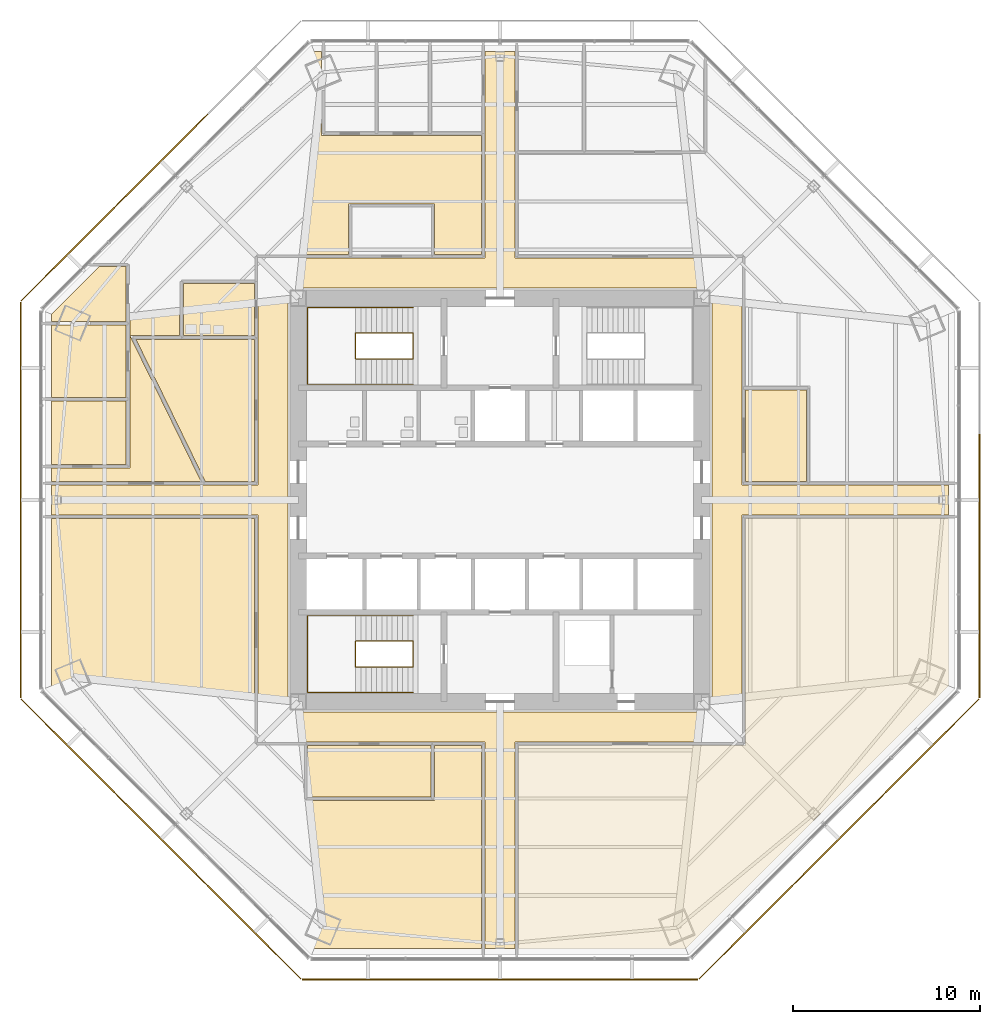
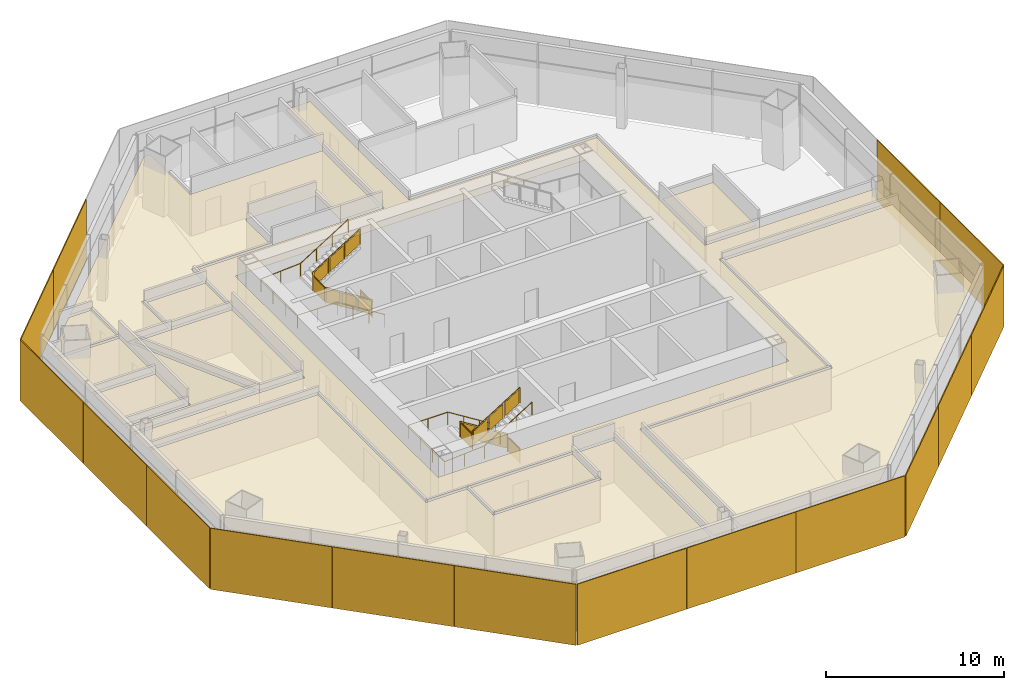
# One storey, part 12 of 14: 16 shading devices, 11 coverings, 4 railings.
"""IFC4 building model written with IfcOpenShell, lengths in metres."""

from ifc_helpers import new_model, si_unit, direction, frame, origin, origin_2d, place, context, subcontext, project, spatial, polyline, rectangle, circle, outline, extrude, source, transform, mapped, material, layer, layer_set, type_object, type_shapes, element, save


model = new_model("IFC4")

# Units and contexts
model_context = context("Model", 3, precision=1e-05, world=origin(), true_north=direction((0.0, 1.0)))
body_context = subcontext(model_context, "Body", "Model", "MODEL_VIEW")
ifc_project = project(units=[si_unit("LENGTHUNIT", "METRE"), si_unit("AREAUNIT", "SQUARE_METRE"), si_unit("VOLUMEUNIT", "CUBIC_METRE"), si_unit("PLANEANGLEUNIT", "RADIAN"), si_unit("MASSUNIT", "GRAM", prefix="KILO")], contexts=[model_context])

# Site, building, storey
site_placement = place(None, origin())
site = spatial("IfcSite", under=ifc_project, at=site_placement, CompositionType="ELEMENT")
building_placement = place(site_placement, origin())
building = spatial("IfcBuilding", under=site, at=building_placement, Name="Mashrafa Tower", CompositionType="ELEMENT")
storey_placement = place(building_placement, frame((0.0, 0.0, 121.800048828125)))
storey = spatial("IfcBuildingStorey", under=building, at=storey_placement, Name="L27", CompositionType="ELEMENT", Elevation=121.800048828125)

# Railings
ifc_material_1 = material(Name="Steel guard with glass infill", Category="steel")
railing_type_1 = type_object("IfcRailingType", Name="Stair guard 1100", PredefinedType="GUARDRAIL", material=ifc_material_1)
railing_1_placement = place(storey_placement, frame((-4.64990234375, 8.949951171875, 0.0)))
element("IfcRailing", 1, at=railing_1_placement, inside=storey, type_object=railing_type_1, Name="Stair S1 guard L27", PredefinedType="GUARDRAIL", context=body_context, shape_type="SweptSolid", body=[
    extrude(circle(Radius=0.02392578125, at=origin_2d()), frame((0.0, 0.0, 1.076171875), z_axis=(0.0, -1.0, 0.0), x_axis=(1.0, 0.0, 0.0)), (0.0, 0.0, 1.0), 1.39990234375),
    extrude(circle(Radius=0.02392578125, at=origin_2d()), frame((0.0, -1.39990234375, 1.076171875), z_axis=(0.0, 0.0, 1.0), x_axis=(1.0, 0.0, 0.0)), (0.0, 0.0, 1.0), 0.175048828125),
    extrude(circle(Radius=0.02392578125, at=origin_2d()), frame((0.0, -1.39990234375, 1.2509765625), z_axis=(-0.848028513186, 0.0, 0.529950602248), x_axis=(0.0, -1.0, 0.0)), (0.0, 0.0, 1.0), 3.632080078125),
    extrude(circle(Radius=0.02392578125, at=origin_2d()), frame((-3.080078125, -1.39990234375, 3.17578125), z_axis=(0.0, 1.0, 0.0), x_axis=(-1.0, 0.0, 0.0)), (0.0, 0.0, 1.0), 1.39990234375),
    extrude(circle(Radius=0.02392578125, at=origin_2d()), frame((-3.080078125, 0.0, 3.17578125), z_axis=(0.0, 0.0, 1.0), x_axis=(1.0, 0.0, 0.0)), (0.0, 0.0, 1.0), 0.175048828125),
    extrude(circle(Radius=0.02392578125, at=origin_2d()), frame((-3.080078125, 0.0, 3.35107421875), z_axis=(0.847998304005, 0.0, 0.529998940003), x_axis=(0.0, 1.0, 0.0)), (0.0, 0.0, 1.0), 3.632080078125),
    extrude(circle(Radius=0.02099609375, at=origin_2d()), origin(), (0.0, 0.0, 1.0), 1.052001953125),
    extrude(circle(Radius=0.02099609375, at=origin_2d()), frame((0.0, -1.39990234375, 0.0)), (0.0, 0.0, 1.0), 1.052001953125),
    extrude(circle(Radius=0.02099609375, at=origin_2d()), frame((0.0, -1.39990234375, 0.175048828125)), (0.0, 0.0, 1.0), 1.052001953125),
    extrude(circle(Radius=0.02099609375, at=origin_2d()), frame((-1.026611328125, -1.39990234375, 0.816650390625)), (0.0, 0.0, 1.0), 1.052001953125),
    extrude(circle(Radius=0.02099609375, at=origin_2d()), frame((-2.053466796875, -1.39990234375, 1.458251953125)), (0.0, 0.0, 1.0), 1.052001953125),
    extrude(circle(Radius=0.02099609375, at=origin_2d()), frame((-3.080078125, -1.39990234375, 2.099853515625)), (0.0, 0.0, 1.0), 1.052001953125),
    extrude(circle(Radius=0.02099609375, at=origin_2d()), frame((-3.080078125, 0.0, 2.099853515625)), (0.0, 0.0, 1.0), 1.052001953125),
    extrude(circle(Radius=0.02099609375, at=origin_2d()), frame((-3.080078125, 0.0, 2.27490234375)), (0.0, 0.0, 1.0), 1.052001953125),
    extrude(circle(Radius=0.02099609375, at=origin_2d()), frame((-2.053466796875, 0.0, 2.91650390625)), (0.0, 0.0, 1.0), 1.052001953125),
    extrude(circle(Radius=0.02099609375, at=origin_2d()), frame((-1.026611328125, 0.0, 3.558349609375)), (0.0, 0.0, 1.0), 1.052001953125),
    extrude(circle(Radius=0.02099609375, at=origin_2d()), frame((0.0, 0.0, 4.199951171875)), (0.0, 0.0, 1.0), 1.052001953125),
    extrude(outline(polyline([(0.071044921875, 0.050048828125), (1.328857421875, 0.050048828125), (1.328857421875, 1.001953125), (0.071044921875, 1.001953125), (0.071044921875, 0.050048828125)])), frame((-0.006103515625, 0.0, 0.0), z_axis=(-1.0, 0.0, 0.0), x_axis=(0.0, -1.0, 0.0)), (0.0, 0.0, 1.0), 0.011962890625),
    extrude(outline(polyline([(0.071044921875, 0.094482421875), (0.955810546875, 0.647216796875), (0.955810546875, 1.59912109375), (0.071044921875, 1.04638671875), (0.071044921875, 0.094482421875)])), frame((0.0, -1.393798828125, 0.175048828125), z_axis=(0.0, 1.0, 0.0), x_axis=(-1.0, 0.0, 0.0)), (0.0, 0.0, 1.0), 0.011962890625),
    extrude(outline(polyline([(1.09765625, 0.736083984375), (1.982421875, 1.288818359375), (1.982421875, 2.24072265625), (1.09765625, 1.68798828125), (1.09765625, 0.736083984375)])), frame((0.0, -1.393798828125, 0.175048828125), z_axis=(0.0, 1.0, 0.0), x_axis=(-1.0, 0.0, 0.0)), (0.0, 0.0, 1.0), 0.011962890625),
    extrude(outline(polyline([(2.124267578125, 1.377685546875), (3.009033203125, 1.930419921875), (3.009033203125, 2.88232421875), (2.124267578125, 2.32958984375), (2.124267578125, 1.377685546875)])), frame((0.0, -1.393798828125, 0.175048828125), z_axis=(0.0, 1.0, 0.0), x_axis=(-1.0, 0.0, 0.0)), (0.0, 0.0, 1.0), 0.011962890625),
    extrude(outline(polyline([(0.071044921875, 0.050048828125), (1.328857421875, 0.050048828125), (1.328857421875, 1.001953125), (0.071044921875, 1.001953125), (0.071044921875, 0.050048828125)])), frame((-3.073974609375, -1.39990234375, 2.099853515625), z_axis=(1.0, 0.0, 0.0), x_axis=(0.0, 1.0, 0.0)), (0.0, 0.0, 1.0), 0.011962890625),
    extrude(outline(polyline([(0.071044921875, 0.094482421875), (0.955810546875, 0.647216796875), (0.955810546875, 1.599365234375), (0.071044921875, 1.04638671875), (0.071044921875, 0.094482421875)])), frame((-3.080078125, -0.006103515625, 2.27490234375), z_axis=(0.0, -1.0, 0.0), x_axis=(1.0, 0.0, 0.0)), (0.0, 0.0, 1.0), 0.011962890625),
    extrude(outline(polyline([(1.09765625, 0.736083984375), (1.982421875, 1.2890625), (1.982421875, 2.240966796875), (1.09765625, 1.68798828125), (1.09765625, 0.736083984375)])), frame((-3.080078125, -0.006103515625, 2.27490234375), z_axis=(0.0, -1.0, 0.0), x_axis=(1.0, 0.0, 0.0)), (0.0, 0.0, 1.0), 0.011962890625),
    extrude(outline(polyline([(2.124267578125, 1.377685546875), (3.009033203125, 1.9306640625), (3.009033203125, 2.882568359375), (2.124267578125, 2.329833984375), (2.124267578125, 1.377685546875)])), frame((-3.080078125, -0.006103515625, 2.27490234375), z_axis=(0.0, -1.0, 0.0), x_axis=(1.0, 0.0, 0.0)), (0.0, 0.0, 1.0), 0.011962890625),
])
railing_2_placement = place(storey_placement, frame((-4.64990234375, -8.949951171875, 0.0)))
element("IfcRailing", 2, at=railing_2_placement, inside=storey, type_object=railing_type_1, Name="Stair S3 guard L27", PredefinedType="GUARDRAIL", context=body_context, shape_type="SweptSolid", body=[
    extrude(circle(Radius=0.02392578125, at=origin_2d()), frame((0.0, 0.0, 1.076171875), z_axis=(0.0, 1.0, 0.0), x_axis=(-1.0, 0.0, 0.0)), (0.0, 0.0, 1.0), 1.39990234375),
    extrude(circle(Radius=0.02392578125, at=origin_2d()), frame((0.0, 1.39990234375, 1.076171875), z_axis=(0.0, 0.0, 1.0), x_axis=(1.0, 0.0, 0.0)), (0.0, 0.0, 1.0), 0.175048828125),
    extrude(circle(Radius=0.02392578125, at=origin_2d()), frame((0.0, 1.39990234375, 1.2509765625), z_axis=(-0.848028513186, 0.0, 0.529950602248), x_axis=(0.0, -1.0, 0.0)), (0.0, 0.0, 1.0), 3.632080078125),
    extrude(circle(Radius=0.02392578125, at=origin_2d()), frame((-3.080078125, 1.39990234375, 3.17578125), z_axis=(0.0, -1.0, 0.0), x_axis=(1.0, 0.0, 0.0)), (0.0, 0.0, 1.0), 1.39990234375),
    extrude(circle(Radius=0.02392578125, at=origin_2d()), frame((-3.080078125, 0.0, 3.17578125), z_axis=(0.0, 0.0, 1.0), x_axis=(1.0, 0.0, 0.0)), (0.0, 0.0, 1.0), 0.175048828125),
    extrude(circle(Radius=0.02392578125, at=origin_2d()), frame((-3.080078125, 0.0, 3.35107421875), z_axis=(0.847998304005, 0.0, 0.529998940003), x_axis=(0.0, 1.0, 0.0)), (0.0, 0.0, 1.0), 3.632080078125),
    extrude(circle(Radius=0.02099609375, at=origin_2d()), origin(), (0.0, 0.0, 1.0), 1.052001953125),
    extrude(circle(Radius=0.02099609375, at=origin_2d()), frame((0.0, 1.39990234375, 0.0)), (0.0, 0.0, 1.0), 1.052001953125),
    extrude(circle(Radius=0.02099609375, at=origin_2d()), frame((0.0, 1.39990234375, 0.175048828125)), (0.0, 0.0, 1.0), 1.052001953125),
    extrude(circle(Radius=0.02099609375, at=origin_2d()), frame((-1.026611328125, 1.39990234375, 0.816650390625)), (0.0, 0.0, 1.0), 1.052001953125),
    extrude(circle(Radius=0.02099609375, at=origin_2d()), frame((-2.053466796875, 1.39990234375, 1.458251953125)), (0.0, 0.0, 1.0), 1.052001953125),
    extrude(circle(Radius=0.02099609375, at=origin_2d()), frame((-3.080078125, 1.39990234375, 2.099853515625)), (0.0, 0.0, 1.0), 1.052001953125),
    extrude(circle(Radius=0.02099609375, at=origin_2d()), frame((-3.080078125, 0.0, 2.099853515625)), (0.0, 0.0, 1.0), 1.052001953125),
    extrude(circle(Radius=0.02099609375, at=origin_2d()), frame((-3.080078125, 0.0, 2.27490234375)), (0.0, 0.0, 1.0), 1.052001953125),
    extrude(circle(Radius=0.02099609375, at=origin_2d()), frame((-2.053466796875, 0.0, 2.91650390625)), (0.0, 0.0, 1.0), 1.052001953125),
    extrude(circle(Radius=0.02099609375, at=origin_2d()), frame((-1.026611328125, 0.0, 3.558349609375)), (0.0, 0.0, 1.0), 1.052001953125),
    extrude(circle(Radius=0.02099609375, at=origin_2d()), frame((0.0, 0.0, 4.199951171875)), (0.0, 0.0, 1.0), 1.052001953125),
    extrude(outline(polyline([(0.071044921875, 0.050048828125), (1.328857421875, 0.050048828125), (1.328857421875, 1.001953125), (0.071044921875, 1.001953125), (0.071044921875, 0.050048828125)])), frame((0.006103515625, 0.0, 0.0), z_axis=(1.0, 0.0, 0.0), x_axis=(0.0, 1.0, 0.0)), (0.0, 0.0, 1.0), 0.011962890625),
    extrude(outline(polyline([(0.071044921875, 0.094482421875), (0.955810546875, 0.647216796875), (0.955810546875, 1.59912109375), (0.071044921875, 1.04638671875), (0.071044921875, 0.094482421875)])), frame((0.0, 1.406005859375, 0.175048828125), z_axis=(0.0, 1.0, 0.0), x_axis=(-1.0, 0.0, 0.0)), (0.0, 0.0, 1.0), 0.011962890625),
    extrude(outline(polyline([(1.09765625, 0.736083984375), (1.982421875, 1.288818359375), (1.982421875, 2.24072265625), (1.09765625, 1.68798828125), (1.09765625, 0.736083984375)])), frame((0.0, 1.406005859375, 0.175048828125), z_axis=(0.0, 1.0, 0.0), x_axis=(-1.0, 0.0, 0.0)), (0.0, 0.0, 1.0), 0.011962890625),
    extrude(outline(polyline([(2.124267578125, 1.377685546875), (3.009033203125, 1.930419921875), (3.009033203125, 2.88232421875), (2.124267578125, 2.32958984375), (2.124267578125, 1.377685546875)])), frame((0.0, 1.406005859375, 0.175048828125), z_axis=(0.0, 1.0, 0.0), x_axis=(-1.0, 0.0, 0.0)), (0.0, 0.0, 1.0), 0.011962890625),
    extrude(outline(polyline([(0.071044921875, 0.050048828125), (1.328857421875, 0.050048828125), (1.328857421875, 1.001953125), (0.071044921875, 1.001953125), (0.071044921875, 0.050048828125)])), frame((-3.086181640625, 1.39990234375, 2.099853515625), z_axis=(-1.0, 0.0, 0.0), x_axis=(0.0, -1.0, 0.0)), (0.0, 0.0, 1.0), 0.011962890625),
    extrude(outline(polyline([(0.071044921875, 0.094482421875), (0.955810546875, 0.647216796875), (0.955810546875, 1.599365234375), (0.071044921875, 1.04638671875), (0.071044921875, 0.094482421875)])), frame((-3.080078125, -0.006103515625, 2.27490234375), z_axis=(0.0, -1.0, 0.0), x_axis=(1.0, 0.0, 0.0)), (0.0, 0.0, 1.0), 0.011962890625),
    extrude(outline(polyline([(1.09765625, 0.736083984375), (1.982421875, 1.2890625), (1.982421875, 2.240966796875), (1.09765625, 1.68798828125), (1.09765625, 0.736083984375)])), frame((-3.080078125, -0.006103515625, 2.27490234375), z_axis=(0.0, -1.0, 0.0), x_axis=(1.0, 0.0, 0.0)), (0.0, 0.0, 1.0), 0.011962890625),
    extrude(outline(polyline([(2.124267578125, 1.377685546875), (3.009033203125, 1.9306640625), (3.009033203125, 2.882568359375), (2.124267578125, 2.329833984375), (2.124267578125, 1.377685546875)])), frame((-3.080078125, -0.006103515625, 2.27490234375), z_axis=(0.0, -1.0, 0.0), x_axis=(1.0, 0.0, 0.0)), (0.0, 0.0, 1.0), 0.011962890625),
])
ifc_material_2 = material(Name="Steel", Category="steel")
railing_type_2 = type_object("IfcRailingType", Name="Stair handrail 900", PredefinedType="HANDRAIL", material=ifc_material_2)
railing_3_placement = place(storey_placement, frame((-4.64990234375, 6.199951171875, 0.175048828125)))
element("IfcRailing", 3, at=railing_3_placement, inside=storey, type_object=railing_type_2, Name="Stair S1 handrail L27", PredefinedType="HANDRAIL", context=body_context, shape_type="SweptSolid", body=[
    extrude(circle(Radius=0.02392578125, at=origin_2d()), frame((0.0, 0.0, 0.8759765625), z_axis=(-0.848028513186, 0.0, 0.529950602248), x_axis=(0.0, -1.0, 0.0)), (0.0, 0.0, 1.0), 3.632080078125),
    extrude(circle(Radius=0.02392578125, at=origin_2d()), frame((-3.080078125, 0.0, 2.80078125), z_axis=(-1.0, 0.0, 0.0), x_axis=(0.0, -1.0, 0.0)), (0.0, 0.0, 1.0), 2.570068359375),
    extrude(circle(Radius=0.02392578125, at=origin_2d()), frame((-5.650146484375, 0.0, 2.80078125), z_axis=(0.0, 1.0, 0.0), x_axis=(-1.0, 0.0, 0.0)), (0.0, 0.0, 1.0), 4.10009765625),
    extrude(circle(Radius=0.02392578125, at=origin_2d()), frame((-5.650146484375, 4.10009765625, 2.80078125), z_axis=(0.997688514158, 0.0, 0.067953136188), x_axis=(0.0, 1.0, 0.0)), (0.0, 0.0, 1.0), 2.575927734375),
    extrude(circle(Radius=0.02392578125, at=origin_2d()), frame((-3.080078125, 4.10009765625, 2.9755859375), z_axis=(0.847998304005, 0.0, 0.529998940003), x_axis=(0.0, 1.0, 0.0)), (0.0, 0.0, 1.0), 3.632080078125),
    extrude(circle(Radius=0.02099609375, at=origin_2d()), origin(), (0.0, 0.0, 1.0), 0.851806640625),
    extrude(circle(Radius=0.02099609375, at=origin_2d()), frame((-1.026611328125, 0.0, 0.6416015625)), (0.0, 0.0, 1.0), 0.851806640625),
    extrude(circle(Radius=0.02099609375, at=origin_2d()), frame((-2.053466796875, 0.0, 1.283203125)), (0.0, 0.0, 1.0), 0.851806640625),
    extrude(circle(Radius=0.02099609375, at=origin_2d()), frame((-3.080078125, 0.0, 1.9248046875)), (0.0, 0.0, 1.0), 0.851806640625),
    extrude(circle(Radius=0.02099609375, at=origin_2d()), frame((-4.365234375, 0.0, 1.9248046875)), (0.0, 0.0, 1.0), 0.851806640625),
    extrude(circle(Radius=0.02099609375, at=origin_2d()), frame((-5.650146484375, 0.0, 1.9248046875)), (0.0, 0.0, 1.0), 0.851806640625),
    extrude(circle(Radius=0.02099609375, at=origin_2d()), frame((-5.650146484375, 1.36669921875, 1.9248046875)), (0.0, 0.0, 1.0), 0.851806640625),
    extrude(circle(Radius=0.02099609375, at=origin_2d()), frame((-5.650146484375, 2.7333984375, 1.9248046875)), (0.0, 0.0, 1.0), 0.851806640625),
    extrude(circle(Radius=0.02099609375, at=origin_2d()), frame((-5.650146484375, 4.10009765625, 1.9248046875)), (0.0, 0.0, 1.0), 0.851806640625),
    extrude(circle(Radius=0.02099609375, at=origin_2d()), frame((-4.365234375, 4.10009765625, 2.01220703125)), (0.0, 0.0, 1.0), 0.851806640625),
    extrude(circle(Radius=0.02099609375, at=origin_2d()), frame((-3.080078125, 4.10009765625, 2.099853515625)), (0.0, 0.0, 1.0), 0.851806640625),
    extrude(circle(Radius=0.02099609375, at=origin_2d()), frame((-2.053466796875, 4.10009765625, 2.741455078125)), (0.0, 0.0, 1.0), 0.851806640625),
    extrude(circle(Radius=0.02099609375, at=origin_2d()), frame((-1.026611328125, 4.10009765625, 3.38330078125)), (0.0, 0.0, 1.0), 0.851806640625),
    extrude(circle(Radius=0.02099609375, at=origin_2d()), frame((0.0, 4.10009765625, 4.02490234375)), (0.0, 0.0, 1.0), 0.851806640625),
])
railing_4_placement = place(storey_placement, frame((-4.64990234375, -6.199951171875, 0.175048828125)))
element("IfcRailing", 4, at=railing_4_placement, inside=storey, type_object=railing_type_2, Name="Stair S3 handrail L27", PredefinedType="HANDRAIL", context=body_context, shape_type="SweptSolid", body=[
    extrude(circle(Radius=0.02392578125, at=origin_2d()), frame((0.0, 0.0, 0.8759765625), z_axis=(-0.848028513186, 0.0, 0.529950602248), x_axis=(0.0, -1.0, 0.0)), (0.0, 0.0, 1.0), 3.632080078125),
    extrude(circle(Radius=0.02392578125, at=origin_2d()), frame((-3.080078125, 0.0, 2.80078125), z_axis=(-1.0, 0.0, 0.0), x_axis=(0.0, -1.0, 0.0)), (0.0, 0.0, 1.0), 2.570068359375),
    extrude(circle(Radius=0.02392578125, at=origin_2d()), frame((-5.650146484375, 0.0, 2.80078125), z_axis=(0.0, -1.0, 0.0), x_axis=(1.0, 0.0, 0.0)), (0.0, 0.0, 1.0), 4.10009765625),
    extrude(circle(Radius=0.02392578125, at=origin_2d()), frame((-5.650146484375, -4.10009765625, 2.80078125), z_axis=(0.997688514158, 0.0, 0.067953136188), x_axis=(0.0, 1.0, 0.0)), (0.0, 0.0, 1.0), 2.575927734375),
    extrude(circle(Radius=0.02392578125, at=origin_2d()), frame((-3.080078125, -4.10009765625, 2.9755859375), z_axis=(0.847998304005, 0.0, 0.529998940003), x_axis=(0.0, 1.0, 0.0)), (0.0, 0.0, 1.0), 3.632080078125),
    extrude(circle(Radius=0.02099609375, at=origin_2d()), origin(), (0.0, 0.0, 1.0), 0.851806640625),
    extrude(circle(Radius=0.02099609375, at=origin_2d()), frame((-1.026611328125, 0.0, 0.6416015625)), (0.0, 0.0, 1.0), 0.851806640625),
    extrude(circle(Radius=0.02099609375, at=origin_2d()), frame((-2.053466796875, 0.0, 1.283203125)), (0.0, 0.0, 1.0), 0.851806640625),
    extrude(circle(Radius=0.02099609375, at=origin_2d()), frame((-3.080078125, 0.0, 1.9248046875)), (0.0, 0.0, 1.0), 0.851806640625),
    extrude(circle(Radius=0.02099609375, at=origin_2d()), frame((-4.365234375, 0.0, 1.9248046875)), (0.0, 0.0, 1.0), 0.851806640625),
    extrude(circle(Radius=0.02099609375, at=origin_2d()), frame((-5.650146484375, 0.0, 1.9248046875)), (0.0, 0.0, 1.0), 0.851806640625),
    extrude(circle(Radius=0.02099609375, at=origin_2d()), frame((-5.650146484375, -1.36669921875, 1.9248046875)), (0.0, 0.0, 1.0), 0.851806640625),
    extrude(circle(Radius=0.02099609375, at=origin_2d()), frame((-5.650146484375, -2.7333984375, 1.9248046875)), (0.0, 0.0, 1.0), 0.851806640625),
    extrude(circle(Radius=0.02099609375, at=origin_2d()), frame((-5.650146484375, -4.10009765625, 1.9248046875)), (0.0, 0.0, 1.0), 0.851806640625),
    extrude(circle(Radius=0.02099609375, at=origin_2d()), frame((-4.365234375, -4.10009765625, 2.01220703125)), (0.0, 0.0, 1.0), 0.851806640625),
    extrude(circle(Radius=0.02099609375, at=origin_2d()), frame((-3.080078125, -4.10009765625, 2.099853515625)), (0.0, 0.0, 1.0), 0.851806640625),
    extrude(circle(Radius=0.02099609375, at=origin_2d()), frame((-2.053466796875, -4.10009765625, 2.741455078125)), (0.0, 0.0, 1.0), 0.851806640625),
    extrude(circle(Radius=0.02099609375, at=origin_2d()), frame((-1.026611328125, -4.10009765625, 3.38330078125)), (0.0, 0.0, 1.0), 0.851806640625),
    extrude(circle(Radius=0.02099609375, at=origin_2d()), frame((0.0, -4.10009765625, 4.02490234375)), (0.0, 0.0, 1.0), 0.851806640625),
])

# Coverings
ifc_material_3 = material(Name="Mineral fibre tile on suspension grid")
ifc_layer_1 = layer(ifc_material_3, 0.014892578125)
ifc_layer_set_1 = layer_set([ifc_layer_1], Name="Suspended ceiling mineral tile 15")
covering_type = type_object("IfcCoveringType", Name="Suspended ceiling mineral tile 15", PredefinedType="CEILING", material=ifc_layer_set_1)
covering_1_placement = place(storey_placement, frame((0.0, 0.0, 2.89990234375)))
element("IfcCovering", 5, at=covering_1_placement, inside=storey, type_object=covering_type, Name="Ceiling Office Corridor L27", PredefinedType="CEILING", context=body_context, shape_type="SweptSolid", body=[
    extrude(outline(polyline([(-12.949951171875, -12.949951171875), (-12.949951171875, -0.800048828125), (-24.019287109375, -0.800048828125), (-24.019287109375, 0.800048828125), (-12.949951171875, 0.800048828125), (-12.949951171875, 12.949951171875), (-0.800048828125, 12.949951171875), (-0.800048828125, 24.019287109375), (0.800048828125, 24.019287109375), (0.800048828125, 12.949951171875), (12.949951171875, 12.949951171875), (12.949951171875, 0.800048828125), (24.019287109375, 0.800048828125), (24.019287109375, -0.800048828125), (12.949951171875, -0.800048828125), (12.949951171875, -12.949951171875), (0.800048828125, -12.949951171875), (0.800048828125, -24.019287109375), (-0.800048828125, -24.019287109375), (-0.800048828125, -12.949951171875), (-12.949951171875, -12.949951171875)]), holes=[polyline([(11.35009765625, 11.35009765625), (-11.35009765625, 11.35009765625), (-11.35009765625, -11.35009765625), (11.35009765625, -11.35009765625), (11.35009765625, 11.35009765625)])]), origin(), (0.0, 0.0, 1.0), 0.01513671875),
])
covering_2_placement = place(storey_placement, frame((0.0, 0.0, 2.89990234375)))
element("IfcCovering", 6, at=covering_2_placement, inside=storey, type_object=covering_type, Name="Ceiling Musallah Prayer Room 27", PredefinedType="CEILING", context=body_context, shape_type="SweptSolid", body=[
    extrude(outline(polyline([(-15.783203125, 1.0), (-19.489990234375, 8.60009765625), (-13.14990234375, 8.60009765625), (-13.14990234375, 1.0), (-15.783203125, 1.0)])), origin(), (0.0, 0.0, 1.0), 0.01513671875),
])
covering_3_placement = place(storey_placement, frame((0.0, 0.0, 2.89990234375)))
element("IfcCovering", 7, at=covering_3_placement, inside=storey, type_object=covering_type, Name="Ceiling Ablution Room L27", PredefinedType="CEILING", context=body_context, shape_type="SweptSolid", body=[
    extrude(outline(polyline([(-16.949951171875, 8.800048828125), (-16.949951171875, 11.60009765625), (-13.14990234375, 11.60009765625), (-13.14990234375, 8.800048828125), (-16.949951171875, 8.800048828125)])), origin(), (0.0, 0.0, 1.0), 0.01513671875),
])
covering_4_placement = place(storey_placement, frame((0.0, 0.0, 2.89990234375)))
element("IfcCovering", 8, at=covering_4_placement, inside=storey, type_object=covering_type, Name="Ceiling Reception Majlis 27", PredefinedType="CEILING", context=body_context, shape_type="SweptSolid", body=[
    extrude(outline(polyline([(13.14990234375, 5.89990234375), (16.39990234375, 5.89990234375), (16.39990234375, 1.0), (13.14990234375, 1.0), (13.14990234375, 5.89990234375)])), origin(), (0.0, 0.0, 1.0), 0.01513671875),
])
covering_5_placement = place(storey_placement, frame((0.0, 0.0, 2.89990234375)))
element("IfcCovering", 9, at=covering_5_placement, inside=storey, type_object=covering_type, Name="Ceiling Records Office 27", PredefinedType="CEILING", context=body_context, shape_type="SweptSolid", body=[
    extrude(outline(polyline([(-10.300048828125, -13.14990234375), (-3.699951171875, -13.14990234375), (-3.699951171875, -15.89990234375), (-10.300048828125, -15.89990234375), (-10.300048828125, -13.14990234375)])), origin(), (0.0, 0.0, 1.0), 0.01513671875),
])
covering_6_placement = place(storey_placement, frame((0.0, 0.0, 2.89990234375)))
element("IfcCovering", 10, at=covering_6_placement, inside=storey, type_object=covering_type, Name="Ceiling Case Officer's Office 27-NW-1", PredefinedType="CEILING", context=body_context, shape_type="SweptSolid", body=[
    extrude(outline(polyline([(-20.019287109375, 12.5), (-20.019287109375, 9.556884765625), (-24.019287109375, 9.556884765625), (-24.019287109375, 9.94921875), (-21.46826171875, 12.5), (-20.019287109375, 12.5)])), origin(), (0.0, 0.0, 1.0), 0.01513671875),
])
covering_7_placement = place(storey_placement, frame((0.0, 0.0, 2.89990234375)))
element("IfcCovering", 11, at=covering_7_placement, inside=storey, type_object=covering_type, Name="Ceiling Case Officer's Office 27-NW-2", PredefinedType="CEILING", context=body_context, shape_type="SweptSolid", body=[
    extrude(outline(polyline([(-20.019287109375, 9.35693359375), (-20.019287109375, 5.5), (-24.019287109375, 5.5), (-24.019287109375, 9.35693359375), (-20.019287109375, 9.35693359375)])), origin(), (0.0, 0.0, 1.0), 0.01513671875),
])
covering_8_placement = place(storey_placement, frame((0.0, 0.0, 2.89990234375)))
element("IfcCovering", 12, at=covering_8_placement, inside=storey, type_object=covering_type, Name="Ceiling Case Officer's Office 27-NW-3", PredefinedType="CEILING", context=body_context, shape_type="SweptSolid", body=[
    extrude(outline(polyline([(-20.019287109375, 5.300048828125), (-20.019287109375, 1.89990234375), (-24.019287109375, 1.89990234375), (-24.019287109375, 5.300048828125), (-20.019287109375, 5.300048828125)])), origin(), (0.0, 0.0, 1.0), 0.01513671875),
])
covering_9_placement = place(storey_placement, frame((0.0, 0.0, 2.89990234375)))
element("IfcCovering", 13, at=covering_9_placement, inside=storey, type_object=covering_type, Name="Ceiling Policy and Programmes Office 27-NW", PredefinedType="CEILING", context=body_context, shape_type="SweptSolid", body=[
    extrude(outline(polyline([(-24.019287109375, 1.0), (-24.019287109375, 1.699951171875), (-19.819091796875, 1.699951171875), (-19.819091796875, 12.699951171875), (-21.268310546875, 12.699951171875), (-9.94921875, 24.019287109375), (-9.556884765625, 24.019287109375), (-9.556884765625, 19.519287109375), (-1.0, 19.519287109375), (-1.0, 13.14990234375), (-3.5, 13.14990234375), (-3.5, 15.85009765625), (-8.10009765625, 15.85009765625), (-8.10009765625, 13.14990234375), (-13.14990234375, 13.14990234375), (-13.14990234375, 11.800048828125), (-17.14990234375, 11.800048828125), (-17.14990234375, 8.800048828125), (-19.81005859375, 8.800048828125), (-16.005615234375, 1.0), (-24.019287109375, 1.0)])), origin(), (0.0, 0.0, 1.0), 0.01513671875),
])
covering_10_placement = place(storey_placement, frame((0.0, 0.0, 2.89990234375)))
element("IfcCovering", 14, at=covering_10_placement, inside=storey, type_object=covering_type, Name="Ceiling Licensing Office 27-SW", PredefinedType="CEILING", context=body_context, shape_type="SweptSolid", body=[
    extrude(outline(polyline([(-1.0, -24.019287109375), (-9.94921875, -24.019287109375), (-24.019287109375, -9.94921875), (-24.019287109375, -1.0), (-13.14990234375, -1.0), (-13.14990234375, -13.14990234375), (-10.5, -13.14990234375), (-10.5, -16.10009765625), (-3.5, -16.10009765625), (-3.5, -13.14990234375), (-1.0, -13.14990234375), (-1.0, -24.019287109375)])), origin(), (0.0, 0.0, 1.0), 0.01513671875),
])
covering_11_placement = place(storey_placement, frame((0.0, 0.0, 2.89990234375)))
element("IfcCovering", 15, at=covering_11_placement, inside=storey, type_object=covering_type, Name="Ceiling Programme Delivery Office 27-SE", PredefinedType="CEILING", context=body_context, shape_type="SweptSolid", body=[
    extrude(outline(polyline([(24.019287109375, -1.0), (24.019287109375, -9.94921875), (9.94921875, -24.019287109375), (1.0, -24.019287109375), (1.0, -13.14990234375), (13.14990234375, -13.14990234375), (13.14990234375, -1.0), (24.019287109375, -1.0)])), origin(), (0.0, 0.0, 1.0), 0.01513671875),
])

# Shading devices
ifc_material_4 = material(Name="Perforated aluminium plate, eight-point star pattern", Category="aluminium")
ifc_layer_2 = layer(ifc_material_4, 0.06005859375)
ifc_layer_set_2 = layer_set([ifc_layer_2], Name="Mashrabiya screen panel office zone 2, 40 percent open")
shading_device_type = type_object("IfcShadingDeviceType", Name="Mashrabiya screen panel office zone 2, 40 percent open", PredefinedType="SHUTTER", material=ifc_layer_set_2)
shared_shape = source(origin(), body_context, "Body", "SweptSolid", [
    extrude(rectangle(XDim=7.053466796875, YDim=0.06005859375, at=origin_2d()), origin(), (0.0, 0.0, 1.0), 4.179931640625),
])
type_shapes(shading_device_type, [shared_shape])
for number, where, z_axis, x_axis, name in (
    (16, (25.669189453125, -7.073486328125, -0.14990234375), (0.0, 0.0, 1.0), (0.0, 1.0, 0.0), "Mashrabiya screen L27 east 1"),
    (17, (25.669189453125, 0.0, -0.14990234375), (0.0, 0.0, 1.0), (0.0, 1.0, 0.0), "Mashrabiya screen L27 east 2"),
    (18, (-18.15087890625, 18.15087890625, -0.14990234375), (0.0, 0.0, 1.0), (-0.707106781187, -0.707106781187, 0.0), "Mashrabiya screen L27 north-west 2"),
    (19, (-23.152587890625, 13.149169921875, -0.14990234375), (0.0, 0.0, 1.0), (-0.707106781187, -0.707106781187, 0.0), "Mashrabiya screen L27 north-west 3"),
    (20, (-25.669189453125, 7.073486328125, -0.14990234375), (0.0, 0.0, 1.0), (0.0, -1.0, 0.0), "Mashrabiya screen L27 west 1"),
    (21, (-25.669189453125, 0.0, -0.14990234375), (0.0, 0.0, 1.0), (0.0, -1.0, 0.0), "Mashrabiya screen L27 west 2"),
    (22, (-25.669189453125, -7.073486328125, -0.14990234375), (0.0, 0.0, 1.0), (0.0, -1.0, 0.0), "Mashrabiya screen L27 west 3"),
    (23, (-23.152587890625, -13.149169921875, -0.14990234375), (0.0, 0.0, 1.0), (0.707106781187, -0.707106781187, 0.0), "Mashrabiya screen L27 south-west 1"),
    (24, (-18.15087890625, -18.15087890625, -0.14990234375), (0.0, 0.0, 1.0), (0.707106781187, -0.707106781187, 0.0), "Mashrabiya screen L27 south-west 2"),
    (25, (-13.149169921875, -23.152587890625, -0.14990234375), (0.0, 0.0, 1.0), (0.707106781187, -0.707106781187, 0.0), "Mashrabiya screen L27 south-west 3"),
    (26, (-7.073486328125, -25.669189453125, -0.14990234375), (0.0, 0.0, 1.0), (1.0, 0.0, 0.0), "Mashrabiya screen L27 south 1"),
    (27, (0.0, -25.669189453125, -0.14990234375), (0.0, 0.0, 1.0), (1.0, 0.0, 0.0), "Mashrabiya screen L27 south 2"),
    (28, (7.073486328125, -25.669189453125, -0.14990234375), (0.0, 0.0, 1.0), (1.0, 0.0, 0.0), "Mashrabiya screen L27 south 3"),
    (29, (13.149169921875, -23.152587890625, -0.14990234375), (0.0, 0.0, 1.0), (0.707106781187, 0.707106781187, 0.0), "Mashrabiya screen L27 south-east 1"),
    (30, (18.15087890625, -18.15087890625, -0.14990234375), (0.0, 0.0, 1.0), (0.707106781187, 0.707106781187, 0.0), "Mashrabiya screen L27 south-east 2"),
    (31, (23.152587890625, -13.149169921875, -0.14990234375), (0.0, 0.0, 1.0), (0.707106781187, 0.707106781187, 0.0), "Mashrabiya screen L27 south-east 3"),
):
    element("IfcShadingDevice", number, at=place(storey_placement, frame(where, z_axis=z_axis, x_axis=x_axis)), inside=storey, type_object=shading_device_type, Name=name, PredefinedType="SHUTTER", context=body_context, shape_type="MappedRepresentation", body=[
        mapped(shared_shape, transform((0.0, 0.0, 0.0))),
    ])

save(model, "model.ifc")
